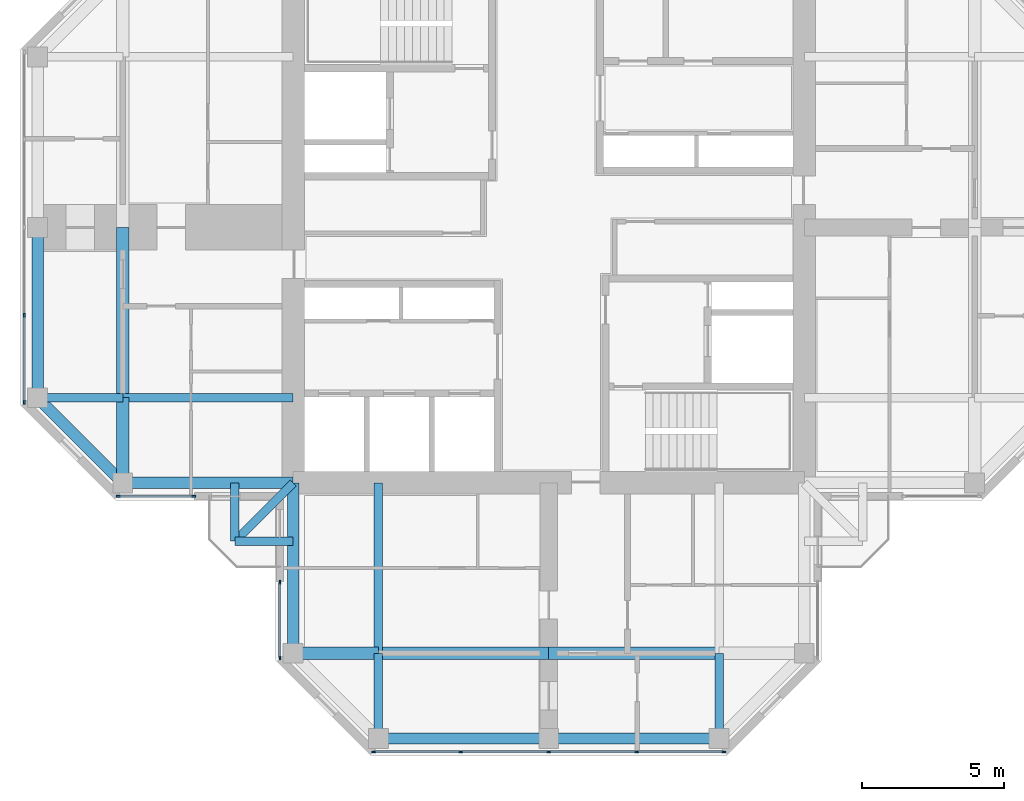
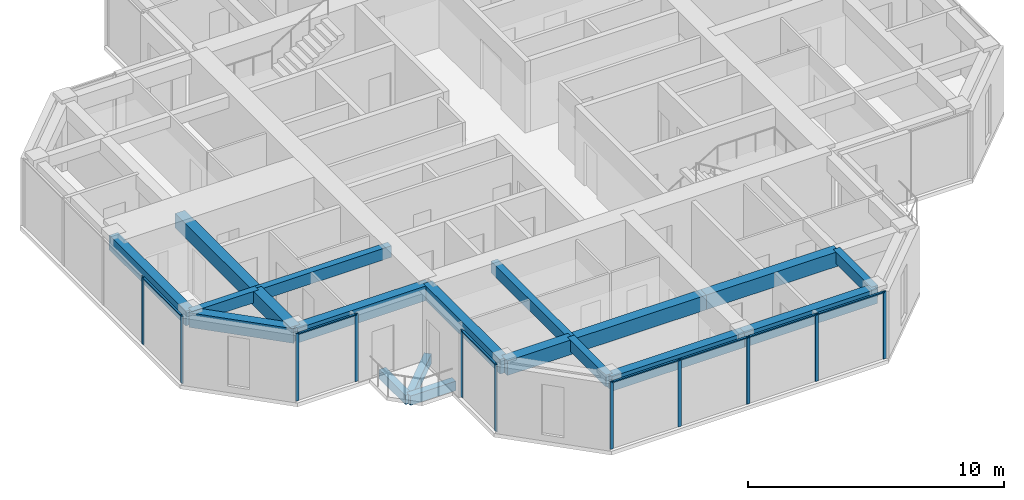
# One storey, part 2 of 13: 19 beams, 18 members, 4 elements without a shape of their own.
"""IFC4 building model written with IfcOpenShell, lengths in metres."""

from ifc_helpers import new_model, si_unit, direction, frame, origin, origin_2d, place, context, subcontext, project, spatial, rectangle, extrude, material, material_profile, profile_set, type_object, element, aggregate, save


model = new_model("IFC4")

# Units and contexts
model_context = context("Model", 3, precision=1e-05, world=origin(), true_north=direction((0.0, 1.0)))
body_context = subcontext(model_context, "Body", "Model", "MODEL_VIEW")
ifc_project = project(units=[si_unit("LENGTHUNIT", "METRE"), si_unit("AREAUNIT", "SQUARE_METRE"), si_unit("VOLUMEUNIT", "CUBIC_METRE"), si_unit("PLANEANGLEUNIT", "RADIAN"), si_unit("MASSUNIT", "GRAM", prefix="KILO")], contexts=[model_context])

# Site, building, storey
site_placement = place(None, origin())
site = spatial("IfcSite", under=ifc_project, at=site_placement, CompositionType="ELEMENT")
building_placement = place(site_placement, origin())
building = spatial("IfcBuilding", under=site, at=building_placement, Name="Torre Cruceta", CompositionType="ELEMENT")
storey_placement = place(building_placement, frame((0.0, 0.0, 261.10009765625)))
storey = spatial("IfcBuildingStorey", under=building, at=storey_placement, Name="L67", CompositionType="ELEMENT", Elevation=261.10009765625)

# Beams
ifc_material_1 = material(Name="Concrete G60 (fck 60 MPa)", Category="concrete")
ifc_material_profile_1 = material_profile(ifc_material_1, rectangle(XDim=0.300048828125, YDim=0.449951171875, at=origin_2d()), Name="RC 300X450")
ifc_profile_set_1 = profile_set([ifc_material_profile_1], Name="Concrete G60 (fck 60 MPa)")
beam_type_1 = type_object("IfcBeamType", Name="BALCONY CANTILEVER BEAM RC 300X450", PredefinedType="BEAM", material=ifc_profile_set_1)
beam_1_placement = place(storey_placement, frame((-9.0, -9.0, -0.405029296875), z_axis=(-0.707106781187, -0.707106781187, 0.0), x_axis=(0.707106781187, -0.707106781187, 0.0)))
element("IfcBeam", 1, at=beam_1_placement, inside=storey, type_object=beam_type_1, Name="BB1 balcony beam L67 W", PredefinedType="BEAM", context=body_context, shape_type="SweptSolid", body=[
    extrude(rectangle(XDim=0.300048828125, YDim=0.449951171875, at=origin_2d()), origin(), (0.0, 0.0, 1.0), 2.89990234375),
])
for number, where, z_axis, x_axis, name in (
    (2, (-11.050537109375, -9.0, -0.405029296875), (0.0, -1.0, 0.0), (1.0, 0.0, 0.0), "BB1 balcony edge beam L67 W-X"),
    (3, (-9.0, -11.050537109375, -0.405029296875), (-1.0, 0.0, 0.0), (0.0, -1.0, 0.0), "BB1 balcony edge beam L67 W-Y"),
):
    element("IfcBeam", number, at=place(storey_placement, frame(where, z_axis=z_axis, x_axis=x_axis)), inside=storey, type_object=beam_type_1, Name=name, PredefinedType="BEAM", context=body_context, shape_type="SweptSolid", body=[
        extrude(rectangle(XDim=0.300048828125, YDim=0.449951171875, at=origin_2d()), origin(), (0.0, 0.0, 1.0), 2.050537109375),
    ])
ifc_material_2 = material(Name="Concrete G60 (fck 60 MPa)", Category="concrete")
ifc_material_profile_2 = material_profile(ifc_material_2, rectangle(XDim=0.300048828125, YDim=0.550048828125, at=origin_2d()), Name="RC 300X550")
ifc_profile_set_2 = profile_set([ifc_material_profile_2], Name="Concrete G60 (fck 60 MPa)")
beam_type_2 = type_object("IfcBeamType", Name="COLUMN LINE BEAM RC 300X550", PredefinedType="BEAM", material=ifc_profile_set_2)
beam_2_placement = place(storey_placement, frame((-6.0, -9.0, 2.94482421875), z_axis=(0.0, -1.0, 0.0), x_axis=(1.0, 0.0, 0.0)))
element("IfcBeam", 4, at=beam_2_placement, inside=storey, type_object=beam_type_2, Name="LB10 L67 S col- 1", PredefinedType="BEAM", context=body_context, shape_type="SweptSolid", body=[
    extrude(rectangle(XDim=0.300048828125, YDim=0.550048828125, at=origin_2d()), origin(), (0.0, 0.0, 1.0), 6.0),
])
for number, where, z_axis, x_axis, name in (
    (5, (-6.0, -15.0, 2.94482421875), (0.0, -1.0, 0.0), (1.0, 0.0, 0.0), "LB10 L67 S col- 2"),
    (6, (6.0, -15.0, 2.94482421875), (0.0, -1.0, 0.0), (1.0, 0.0, 0.0), "LB10 L67 S col+ 2"),
):
    element("IfcBeam", number, at=place(storey_placement, frame(where, z_axis=z_axis, x_axis=x_axis)), inside=storey, type_object=beam_type_2, Name=name, PredefinedType="BEAM", context=body_context, shape_type="SweptSolid", body=[
        extrude(rectangle(XDim=0.300048828125, YDim=0.550048828125, at=origin_2d()), origin(), (0.0, 0.0, 1.0), 3.0),
    ])
beam_3_placement = place(storey_placement, frame((-9.0, -6.0, 2.94482421875), z_axis=(-1.0, 0.0, 0.0), x_axis=(0.0, -1.0, 0.0)))
element("IfcBeam", 7, at=beam_3_placement, inside=storey, type_object=beam_type_2, Name="LB10 L67 W col+ 1", PredefinedType="BEAM", context=body_context, shape_type="SweptSolid", body=[
    extrude(rectangle(XDim=0.300048828125, YDim=0.550048828125, at=origin_2d()), origin(), (0.0, 0.0, 1.0), 6.0),
])
beam_4_placement = place(storey_placement, frame((-15.0, -6.0, 2.94482421875), z_axis=(-1.0, 0.0, 0.0), x_axis=(0.0, -1.0, 0.0)))
element("IfcBeam", 8, at=beam_4_placement, inside=storey, type_object=beam_type_2, Name="LB10 L67 W col+ 2", PredefinedType="BEAM", context=body_context, shape_type="SweptSolid", body=[
    extrude(rectangle(XDim=0.300048828125, YDim=0.550048828125, at=origin_2d()), origin(), (0.0, 0.0, 1.0), 3.0),
])
ifc_material_3 = material(Name="Concrete G60 (fck 60 MPa)", Category="concrete")
ifc_material_profile_3 = material_profile(ifc_material_3, rectangle(XDim=0.449951171875, YDim=0.699951171875, at=origin_2d()), Name="RC 450X700")
ifc_profile_set_3 = profile_set([ifc_material_profile_3], Name="Concrete G60 (fck 60 MPa)")
beam_type_3 = type_object("IfcBeamType", Name="CROSS BEAM RC 450X700", PredefinedType="BEAM", material=ifc_profile_set_3)
beam_5_placement = place(storey_placement, frame((-9.0, -15.0, 2.869873046875), z_axis=(1.0, 0.0, 0.0), x_axis=(0.0, 1.0, 0.0)))
element("IfcBeam", 9, at=beam_5_placement, inside=storey, type_object=beam_type_3, Name="GB8 L67 S cross15 1", PredefinedType="BEAM", context=body_context, shape_type="SweptSolid", body=[
    extrude(rectangle(XDim=0.449951171875, YDim=0.699951171875, at=origin_2d()), origin(), (0.0, 0.0, 1.0), 3.0),
])
for number, where, z_axis, x_axis, name in (
    (10, (-6.0, -15.0, 2.869873046875), (1.0, 0.0, 0.0), (0.0, 1.0, 0.0), "GB8 L67 S cross15 2"),
    (11, (0.0, -15.0, 2.869873046875), (1.0, 0.0, 0.0), (0.0, 1.0, 0.0), "GB8 L67 S cross15 3"),
    (12, (-15.0, 0.0, 2.869873046875), (0.0, -1.0, 0.0), (1.0, 0.0, 0.0), "GB8 L67 W cross15 3"),
):
    element("IfcBeam", number, at=place(storey_placement, frame(where, z_axis=z_axis, x_axis=x_axis)), inside=storey, type_object=beam_type_3, Name=name, PredefinedType="BEAM", context=body_context, shape_type="SweptSolid", body=[
        extrude(rectangle(XDim=0.449951171875, YDim=0.699951171875, at=origin_2d()), origin(), (0.0, 0.0, 1.0), 6.0),
    ])
beam_6_placement = place(storey_placement, frame((-15.0, -6.0, 2.869873046875), z_axis=(0.0, -1.0, 0.0), x_axis=(1.0, 0.0, 0.0)))
element("IfcBeam", 13, at=beam_6_placement, inside=storey, type_object=beam_type_3, Name="GB8 L67 W cross15 4", PredefinedType="BEAM", context=body_context, shape_type="SweptSolid", body=[
    extrude(rectangle(XDim=0.449951171875, YDim=0.699951171875, at=origin_2d()), origin(), (0.0, 0.0, 1.0), 3.0),
])

# Curtain wall, members
ifc_material_4 = material(Name="Aluminium unitised curtain wall", Category="aluminium")
curtain_wall_type = type_object("IfcCurtainWallType", Name="CURTAIN WALL CW-E CO-LIVING TOP", PredefinedType="USERDEFINED", material=ifc_material_4)
curtain_wall_1_placement = place(storey_placement, origin())
curtain_wall_1 = element("IfcCurtainWall", 14, at=curtain_wall_1_placement, inside=storey, type_object=curtain_wall_type, Name="CW-E L67 W tip 12", ObjectType="UNITISED", PredefinedType="USERDEFINED")
ifc_material_5 = material(Name="Aluminium mullion", Category="aluminium")
ifc_material_profile_4 = material_profile(ifc_material_5, rectangle(XDim=0.054931640625, YDim=0.139892578125, at=origin_2d()), Name="AL 55X140")
ifc_profile_set_4 = profile_set([ifc_material_profile_4], Name="Aluminium mullion")
member_type_1 = type_object("IfcMemberType", Name="CW-E MULLION 55X140", PredefinedType="MULLION", material=ifc_profile_set_4)
member_1_placement = place(storey_placement, frame((-18.469970703125, -3.097412109375, 0.0), z_axis=(0.0, 0.0, 1.0), x_axis=(1.0, 0.0, 0.0)))
member_1 = element("IfcMember", 15, at=member_1_placement, type_object=member_type_1, Name="CW-E mullion 4", PredefinedType="MULLION", context=body_context, shape_type="SweptSolid", body=[
    extrude(rectangle(XDim=0.054931640625, YDim=0.139892578125, at=origin_2d()), origin(), (0.0, 0.0, 1.0), 3.219970703125),
])
member_2_placement = place(storey_placement, frame((-18.469970703125, -6.167236328125, 0.0), z_axis=(0.0, 0.0, 1.0), x_axis=(1.0, 0.0, 0.0)))
member_2 = element("IfcMember", 16, at=member_2_placement, type_object=member_type_1, Name="CW-E mullion 5", PredefinedType="MULLION", context=body_context, shape_type="SweptSolid", body=[
    extrude(rectangle(XDim=0.054931640625, YDim=0.139892578125, at=origin_2d()), origin(), (0.0, 0.0, 1.0), 3.219970703125),
])

curtain_wall_2_placement = place(storey_placement, origin())
curtain_wall_2 = element("IfcCurtainWall", 17, at=curtain_wall_2_placement, inside=storey, type_object=curtain_wall_type, Name="CW-E L67 W side 14", ObjectType="UNITISED", PredefinedType="USERDEFINED")
member_3_placement = place(storey_placement, frame((-15.167236328125, -9.469970703125, 0.0), z_axis=(0.0, 0.0, 1.0), x_axis=(0.0, 1.0, 0.0)))
member_3 = element("IfcMember", 18, at=member_3_placement, type_object=member_type_1, Name="CW-E mullion 1", PredefinedType="MULLION", context=body_context, shape_type="SweptSolid", body=[
    extrude(rectangle(XDim=0.054931640625, YDim=0.139892578125, at=origin_2d()), origin(), (0.0, 0.0, 1.0), 3.219970703125),
])
member_4_placement = place(storey_placement, frame((-12.49755859375, -9.469970703125, 0.0), z_axis=(0.0, 0.0, 1.0), x_axis=(0.0, 1.0, 0.0)))
member_4 = element("IfcMember", 19, at=member_4_placement, type_object=member_type_1, Name="CW-E mullion 2", PredefinedType="MULLION", context=body_context, shape_type="SweptSolid", body=[
    extrude(rectangle(XDim=0.054931640625, YDim=0.139892578125, at=origin_2d()), origin(), (0.0, 0.0, 1.0), 3.219970703125),
])

curtain_wall_3_placement = place(storey_placement, origin())
curtain_wall_3 = element("IfcCurtainWall", 20, at=curtain_wall_3_placement, inside=storey, type_object=curtain_wall_type, Name="CW-E L67 S side 15", ObjectType="UNITISED", PredefinedType="USERDEFINED")
member_5_placement = place(storey_placement, frame((-9.469970703125, -12.49755859375, 0.0), z_axis=(0.0, 0.0, 1.0), x_axis=(1.0, 0.0, 0.0)))
member_5 = element("IfcMember", 21, at=member_5_placement, type_object=member_type_1, Name="CW-E mullion 1", PredefinedType="MULLION", context=body_context, shape_type="SweptSolid", body=[
    extrude(rectangle(XDim=0.054931640625, YDim=0.139892578125, at=origin_2d()), origin(), (0.0, 0.0, 1.0), 3.219970703125),
])
member_6_placement = place(storey_placement, frame((-9.469970703125, -15.167236328125, 0.0), z_axis=(0.0, 0.0, 1.0), x_axis=(1.0, 0.0, 0.0)))
member_6 = element("IfcMember", 22, at=member_6_placement, type_object=member_type_1, Name="CW-E mullion 2", PredefinedType="MULLION", context=body_context, shape_type="SweptSolid", body=[
    extrude(rectangle(XDim=0.054931640625, YDim=0.139892578125, at=origin_2d()), origin(), (0.0, 0.0, 1.0), 3.219970703125),
])

curtain_wall_4_placement = place(storey_placement, origin())
curtain_wall_4 = element("IfcCurtainWall", 23, at=curtain_wall_4_placement, inside=storey, type_object=curtain_wall_type, Name="CW-E L67 S tip 17", ObjectType="UNITISED", PredefinedType="USERDEFINED")
member_7_placement = place(storey_placement, frame((-6.167236328125, -18.469970703125, 0.0), z_axis=(0.0, 0.0, 1.0), x_axis=(0.0, 1.0, 0.0)))
member_7 = element("IfcMember", 24, at=member_7_placement, type_object=member_type_1, Name="CW-E mullion 1", PredefinedType="MULLION", context=body_context, shape_type="SweptSolid", body=[
    extrude(rectangle(XDim=0.054931640625, YDim=0.139892578125, at=origin_2d()), origin(), (0.0, 0.0, 1.0), 3.219970703125),
])
member_8_placement = place(storey_placement, frame((-3.097412109375, -18.469970703125, 0.0), z_axis=(0.0, 0.0, 1.0), x_axis=(0.0, 1.0, 0.0)))
member_8 = element("IfcMember", 25, at=member_8_placement, type_object=member_type_1, Name="CW-E mullion 2", PredefinedType="MULLION", context=body_context, shape_type="SweptSolid", body=[
    extrude(rectangle(XDim=0.054931640625, YDim=0.139892578125, at=origin_2d()), origin(), (0.0, 0.0, 1.0), 3.219970703125),
])
member_9_placement = place(storey_placement, frame((0.0, -18.469970703125, 0.0), z_axis=(0.0, 0.0, 1.0), x_axis=(0.0, 1.0, 0.0)))
member_9 = element("IfcMember", 26, at=member_9_placement, type_object=member_type_1, Name="CW-E mullion 3", PredefinedType="MULLION", context=body_context, shape_type="SweptSolid", body=[
    extrude(rectangle(XDim=0.054931640625, YDim=0.139892578125, at=origin_2d()), origin(), (0.0, 0.0, 1.0), 3.219970703125),
])
member_10_placement = place(storey_placement, frame((3.097412109375, -18.469970703125, 0.0), z_axis=(0.0, 0.0, 1.0), x_axis=(0.0, 1.0, 0.0)))
member_10 = element("IfcMember", 27, at=member_10_placement, type_object=member_type_1, Name="CW-E mullion 4", PredefinedType="MULLION", context=body_context, shape_type="SweptSolid", body=[
    extrude(rectangle(XDim=0.054931640625, YDim=0.139892578125, at=origin_2d()), origin(), (0.0, 0.0, 1.0), 3.219970703125),
])
member_11_placement = place(storey_placement, frame((6.167236328125, -18.469970703125, 0.0), z_axis=(0.0, 0.0, 1.0), x_axis=(0.0, 1.0, 0.0)))
member_11 = element("IfcMember", 28, at=member_11_placement, type_object=member_type_1, Name="CW-E mullion 5", PredefinedType="MULLION", context=body_context, shape_type="SweptSolid", body=[
    extrude(rectangle(XDim=0.054931640625, YDim=0.139892578125, at=origin_2d()), origin(), (0.0, 0.0, 1.0), 3.219970703125),
])

# Member
ifc_material_6 = material(Name="Aluminium transom", Category="aluminium")
ifc_material_profile_5 = material_profile(ifc_material_6, rectangle(XDim=0.090087890625, YDim=0.054931640625, at=origin_2d()), Name="AL 90X55")
ifc_profile_set_5 = profile_set([ifc_material_profile_5], Name="Aluminium transom")
member_type_2 = type_object("IfcMemberType", Name="CW-E TRANSOM 55X90", PredefinedType="USERDEFINED", material=ifc_profile_set_5)
member_12_placement = place(storey_placement, frame((-18.469970703125, -3.124755859375, 3.1923828125), z_axis=(0.0, -1.0, 0.0), x_axis=(1.0, 0.0, 0.0)))
member_12 = element("IfcMember", 29, at=member_12_placement, type_object=member_type_2, Name="CW-E transom 4", ObjectType="TRANSOM", PredefinedType="USERDEFINED", context=body_context, shape_type="SweptSolid", body=[
    extrude(rectangle(XDim=0.090087890625, YDim=0.054931640625, at=origin_2d()), origin(), (0.0, 0.0, 1.0), 3.014892578125),
])

aggregate(curtain_wall_1, [member_1, member_2, member_12])

member_13_placement = place(storey_placement, frame((-15.1396484375, -9.469970703125, 3.1923828125), z_axis=(1.0, 0.0, 0.0), x_axis=(0.0, 1.0, 0.0)))
member_13 = element("IfcMember", 30, at=member_13_placement, type_object=member_type_2, Name="CW-E transom 1", ObjectType="TRANSOM", PredefinedType="USERDEFINED", context=body_context, shape_type="SweptSolid", body=[
    extrude(rectangle(XDim=0.090087890625, YDim=0.054931640625, at=origin_2d()), origin(), (0.0, 0.0, 1.0), 2.61474609375),
])

aggregate(curtain_wall_2, [member_3, member_4, member_13])

member_14_placement = place(storey_placement, frame((-9.469970703125, -12.52490234375, 3.1923828125), z_axis=(0.0, -1.0, 0.0), x_axis=(1.0, 0.0, 0.0)))
member_14 = element("IfcMember", 31, at=member_14_placement, type_object=member_type_2, Name="CW-E transom 1", ObjectType="TRANSOM", PredefinedType="USERDEFINED", context=body_context, shape_type="SweptSolid", body=[
    extrude(rectangle(XDim=0.090087890625, YDim=0.054931640625, at=origin_2d()), origin(), (0.0, 0.0, 1.0), 2.61474609375),
])

aggregate(curtain_wall_3, [member_5, member_6, member_14])

member_15_placement = place(storey_placement, frame((-6.1396484375, -18.469970703125, 3.1923828125), z_axis=(1.0, 0.0, 0.0), x_axis=(0.0, 1.0, 0.0)))
member_15 = element("IfcMember", 32, at=member_15_placement, type_object=member_type_2, Name="CW-E transom 1", ObjectType="TRANSOM", PredefinedType="USERDEFINED", context=body_context, shape_type="SweptSolid", body=[
    extrude(rectangle(XDim=0.090087890625, YDim=0.054931640625, at=origin_2d()), origin(), (0.0, 0.0, 1.0), 3.014892578125),
])

member_16_placement = place(storey_placement, frame((-3.06982421875, -18.469970703125, 3.1923828125), z_axis=(1.0, 0.0, 0.0), x_axis=(0.0, 1.0, 0.0)))
member_16 = element("IfcMember", 33, at=member_16_placement, type_object=member_type_2, Name="CW-E transom 2", ObjectType="TRANSOM", PredefinedType="USERDEFINED", context=body_context, shape_type="SweptSolid", body=[
    extrude(rectangle(XDim=0.090087890625, YDim=0.054931640625, at=origin_2d()), origin(), (0.0, 0.0, 1.0), 3.042236328125),
])

member_17_placement = place(storey_placement, frame((0.027587890625, -18.469970703125, 3.1923828125), z_axis=(1.0, 0.0, 0.0), x_axis=(0.0, 1.0, 0.0)))
member_17 = element("IfcMember", 34, at=member_17_placement, type_object=member_type_2, Name="CW-E transom 3", ObjectType="TRANSOM", PredefinedType="USERDEFINED", context=body_context, shape_type="SweptSolid", body=[
    extrude(rectangle(XDim=0.090087890625, YDim=0.054931640625, at=origin_2d()), origin(), (0.0, 0.0, 1.0), 3.042236328125),
])

member_18_placement = place(storey_placement, frame((3.124755859375, -18.469970703125, 3.1923828125), z_axis=(1.0, 0.0, 0.0), x_axis=(0.0, 1.0, 0.0)))
member_18 = element("IfcMember", 35, at=member_18_placement, type_object=member_type_2, Name="CW-E transom 4", ObjectType="TRANSOM", PredefinedType="USERDEFINED", context=body_context, shape_type="SweptSolid", body=[
    extrude(rectangle(XDim=0.090087890625, YDim=0.054931640625, at=origin_2d()), origin(), (0.0, 0.0, 1.0), 3.014892578125),
])

aggregate(curtain_wall_4, [member_7, member_8, member_9, member_10, member_11, member_15, member_16, member_17, member_18])

# Beams
ifc_material_7 = material(Name="Concrete G60 (fck 60 MPa)", Category="concrete")
ifc_material_profile_6 = material_profile(ifc_material_7, rectangle(XDim=0.39990234375, YDim=0.699951171875, at=origin_2d()), Name="RC 400X700")
ifc_profile_set_6 = profile_set([ifc_material_profile_6], Name="Concrete G60 (fck 60 MPa)")
beam_type_4 = type_object("IfcBeamType", Name="SPANDREL BEAM RC 400X700", PredefinedType="SPANDREL", material=ifc_profile_set_6)
for number, where, z_axis, x_axis, name in (
    (36, (-9.0, -9.0, 2.869873046875), (0.0, -1.0, 0.0), (1.0, 0.0, 0.0), "SB8 L67 S side- 1"),
    (37, (-6.0, -18.0, 2.869873046875), (1.0, 0.0, 0.0), (0.0, 1.0, 0.0), "SB8 L67 S tip 1"),
    (38, (0.0, -18.0, 2.869873046875), (1.0, 0.0, 0.0), (0.0, 1.0, 0.0), "SB8 L67 S tip 2"),
    (39, (-9.0, -9.0, 2.869873046875), (-1.0, 0.0, 0.0), (0.0, -1.0, 0.0), "SB8 L67 W side+ 1"),
):
    element("IfcBeam", number, at=place(storey_placement, frame(where, z_axis=z_axis, x_axis=x_axis)), inside=storey, type_object=beam_type_4, Name=name, PredefinedType="SPANDREL", context=body_context, shape_type="SweptSolid", body=[
        extrude(rectangle(XDim=0.39990234375, YDim=0.699951171875, at=origin_2d()), origin(), (0.0, 0.0, 1.0), 6.0),
    ])
beam_7_placement = place(storey_placement, frame((-15.0, -9.0, 2.869873046875), z_axis=(-0.707106781187, 0.707106781187, 0.0), x_axis=(-0.707106781187, -0.707106781187, 0.0)))
element("IfcBeam", 40, at=beam_7_placement, inside=storey, type_object=beam_type_4, Name="SB8 L67 W side+ 2", PredefinedType="SPANDREL", context=body_context, shape_type="SweptSolid", body=[
    extrude(rectangle(XDim=0.39990234375, YDim=0.699951171875, at=origin_2d()), origin(), (0.0, 0.0, 1.0), 4.24267578125),
])
beam_8_placement = place(storey_placement, frame((-18.0, 0.0, 2.869873046875), z_axis=(0.0, -1.0, 0.0), x_axis=(1.0, 0.0, 0.0)))
element("IfcBeam", 41, at=beam_8_placement, inside=storey, type_object=beam_type_4, Name="SB8 L67 W tip 2", PredefinedType="SPANDREL", context=body_context, shape_type="SweptSolid", body=[
    extrude(rectangle(XDim=0.39990234375, YDim=0.699951171875, at=origin_2d()), origin(), (0.0, 0.0, 1.0), 6.0),
])

save(model, "model.ifc")
